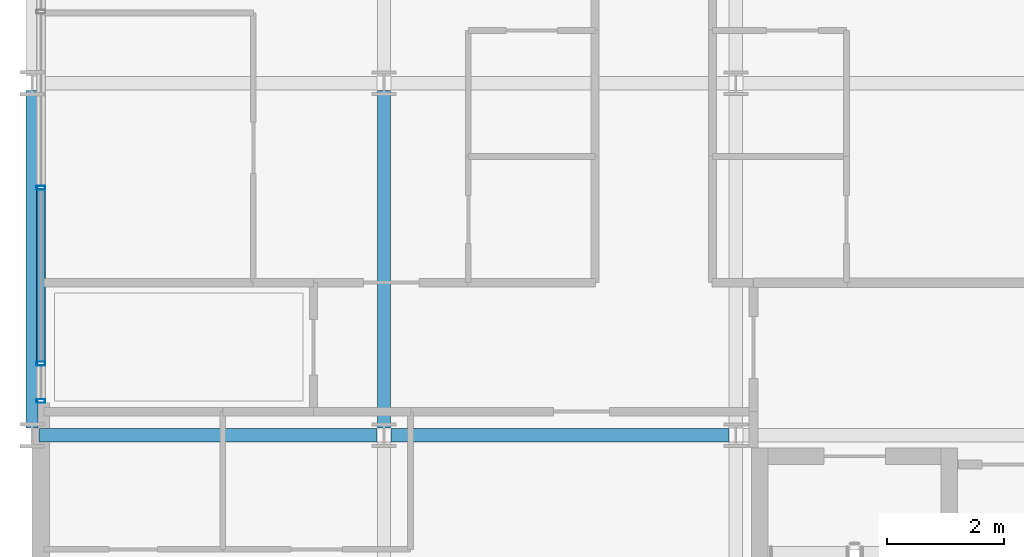
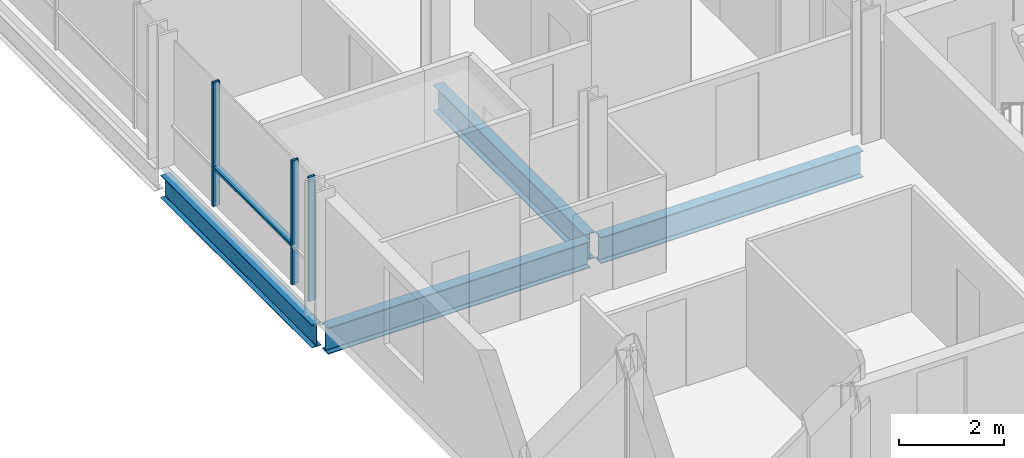
# One storey, part 2 of 41: 4 beams, 4 members, 1 element without a shape of its own.
"""IFC4 building model written with IfcOpenShell, lengths in metres."""

from ifc_helpers import new_model, si_unit, direction, frame, origin, origin_2d, place, context, subcontext, project, spatial, hollow_rectangle, i_section, extrude, material, layer, layer_set, material_profile, profile_set, type_object, element, aggregate, save


model = new_model("IFC4")

# Units and contexts
model_context = context("Model", 3, precision=1e-05, world=origin(), true_north=direction((0.0, 1.0)))
body_context = subcontext(model_context, "Body", "Model", "MODEL_VIEW")
ifc_project = project(units=[si_unit("LENGTHUNIT", "METRE"), si_unit("AREAUNIT", "SQUARE_METRE"), si_unit("VOLUMEUNIT", "CUBIC_METRE"), si_unit("PLANEANGLEUNIT", "RADIAN"), si_unit("MASSUNIT", "GRAM", prefix="KILO")], contexts=[model_context])

# Site, building, storey
site_placement = place(None, origin())
site = spatial("IfcSite", under=ifc_project, at=site_placement, CompositionType="ELEMENT")
building_placement = place(site_placement, origin())
building = spatial("IfcBuilding", under=site, at=building_placement, Name="Brevholm Reach", CompositionType="ELEMENT")
storey_placement = place(building_placement, frame((0.0, 0.0, 112.800048828125)))
storey = spatial("IfcBuildingStorey", under=building, at=storey_placement, Name="L33", CompositionType="ELEMENT", Elevation=112.800048828125)

# Beams
ifc_material_1 = material(Name="Structural Steel S355J2", Category="steel")
ifc_material_profile_1 = material_profile(ifc_material_1, i_section(OverallWidth=0.209228515625, OverallDepth=0.533203125, WebThickness=0.010009765625, FlangeThickness=0.015625, FilletRadius=0.0126953125, at=origin_2d()), Name="UKB 533x210x92")
ifc_profile_set_1 = profile_set([ifc_material_profile_1], Name="Structural Steel S355J2")
beam_type_1 = type_object("IfcBeamType", Name="BM-SP533", PredefinedType="SPANDREL", material=ifc_profile_set_1)
beam_placement = place(storey_placement, frame((0.0, 10.1201171875, -0.486572265625), z_axis=(0.0, 1.0, 0.0), x_axis=(-1.0, 0.0, 0.0)))
element("IfcBeam", 1, at=beam_placement, inside=storey, type_object=beam_type_1, Name="L33 SP-02 Framing Beam", PredefinedType="SPANDREL", context=body_context, shape_type="SweptSolid", body=[
    extrude(i_section(OverallWidth=0.209228515625, OverallDepth=0.533203125, WebThickness=0.010009765625, FlangeThickness=0.015625, FilletRadius=0.0126953125, at=origin_2d()), origin(), (0.0, 0.0, 1.0), 5.759765625),
])
ifc_material_2 = material(Name="Structural Steel S355J2", Category="steel")
ifc_material_profile_2 = material_profile(ifc_material_2, i_section(OverallWidth=0.22900390625, OverallDepth=0.6123046875, WebThickness=0.011962890625, FlangeThickness=0.01953125, FilletRadius=0.0126953125, at=origin_2d()), Name="UKB 610x229x125")
ifc_profile_set_2 = profile_set([ifc_material_profile_2], Name="Structural Steel S355J2")
beam_type_2 = type_object("IfcBeamType", Name="BM-SP610", PredefinedType="SPANDREL", material=ifc_profile_set_2)
for number, where, z_axis, x_axis, name in (
    (2, (0.1201171875, 10.0, -0.526123046875), (1.0, 0.0, 0.0), (0.0, 1.0, 0.0), "L33 SP-01 Framing Beam"),
    (3, (6.1201171875, 10.0, -0.526123046875), (1.0, 0.0, 0.0), (0.0, 1.0, 0.0), "L33 SP-01 Framing Beam"),
    (4, (6.0, 10.1201171875, -0.526123046875), (0.0, 1.0, 0.0), (-1.0, 0.0, 0.0), "L33 SP-01 Framing Beam"),
):
    element("IfcBeam", number, at=place(storey_placement, frame(where, z_axis=z_axis, x_axis=x_axis)), inside=storey, type_object=beam_type_2, Name=name, PredefinedType="SPANDREL", context=body_context, shape_type="SweptSolid", body=[
        extrude(i_section(OverallWidth=0.22900390625, OverallDepth=0.6123046875, WebThickness=0.011962890625, FlangeThickness=0.01953125, FilletRadius=0.0126953125, at=origin_2d()), origin(), (0.0, 0.0, 1.0), 5.759765625),
    ])

# Curtain wall, members
ifc_material_3 = material(Name="Dark Anodised Aluminium 6063-T6 and Solar-Control Glass", Category="aluminium")
ifc_layer = layer(ifc_material_3, 0.14990234375)
ifc_layer_set = layer_set([ifc_layer], Name="Dark Anodised Aluminium 6063-T6 and Solar-Control Glass")
curtain_wall_type = type_object("IfcCurtainWallType", Name="CW-01", PredefinedType="NOTDEFINED", material=ifc_layer_set)
curtain_wall_placement = place(storey_placement, origin())
curtain_wall = element("IfcCurtainWall", 5, at=curtain_wall_placement, inside=storey, type_object=curtain_wall_type, Name="L33 Curtain Wall CW-01", PredefinedType="NOTDEFINED")
ifc_material_4 = material(Name="Dark Anodised Aluminium 6063-T6", Category="aluminium")
ifc_material_profile_3 = material_profile(ifc_material_4, hollow_rectangle(XDim=0.06494140625, YDim=0.14990234375, WallThickness=0.0048828125, InnerFilletRadius=0.0048828125, OuterFilletRadius=0.010009765625, at=origin_2d()), Name="RHS 150x65x5")
ifc_profile_set_3 = profile_set([ifc_material_profile_3], Name="Dark Anodised Aluminium 6063-T6")
member_type_1 = type_object("IfcMemberType", Name="CWM-150", PredefinedType="MULLION", material=ifc_profile_set_3)
member_1_placement = place(storey_placement, frame((0.14990234375, 14.219970703125, 0.0), z_axis=(0.0, 0.0, 1.0), x_axis=(0.0, -1.0, 0.0)))
member_1 = element("IfcMember", 6, at=member_1_placement, type_object=member_type_1, Name="CM-150 Mullion 4", PredefinedType="MULLION", context=body_context, shape_type="SweptSolid", body=[
    extrude(hollow_rectangle(XDim=0.06494140625, YDim=0.14990234375, WallThickness=0.0048828125, InnerFilletRadius=0.0048828125, OuterFilletRadius=0.010009765625, at=origin_2d()), origin(), (0.0, 0.0, 1.0), 2.8798828125),
])
member_2_placement = place(storey_placement, frame((0.14990234375, 11.219970703125, 0.0), z_axis=(0.0, 0.0, 1.0), x_axis=(0.0, -1.0, 0.0)))
member_2 = element("IfcMember", 7, at=member_2_placement, type_object=member_type_1, Name="CM-150 Mullion 5", PredefinedType="MULLION", context=body_context, shape_type="SweptSolid", body=[
    extrude(hollow_rectangle(XDim=0.06494140625, YDim=0.14990234375, WallThickness=0.0048828125, InnerFilletRadius=0.0048828125, OuterFilletRadius=0.010009765625, at=origin_2d()), origin(), (0.0, 0.0, 1.0), 2.8798828125),
])
member_3_placement = place(storey_placement, frame((0.14990234375, 10.58251953125, 0.0), z_axis=(0.0, 0.0, 1.0), x_axis=(0.0, -1.0, 0.0)))
member_3 = element("IfcMember", 8, at=member_3_placement, type_object=member_type_1, Name="CM-150 Mullion 6", PredefinedType="MULLION", context=body_context, shape_type="SweptSolid", body=[
    extrude(hollow_rectangle(XDim=0.06494140625, YDim=0.14990234375, WallThickness=0.0048828125, InnerFilletRadius=0.0048828125, OuterFilletRadius=0.010009765625, at=origin_2d()), origin(), (0.0, 0.0, 1.0), 2.8798828125),
])
ifc_material_5 = material(Name="Dark Anodised Aluminium 6063-T6", Category="aluminium")
ifc_material_profile_4 = material_profile(ifc_material_5, hollow_rectangle(XDim=0.06494140625, YDim=0.14990234375, WallThickness=0.0048828125, InnerFilletRadius=0.0048828125, OuterFilletRadius=0.010009765625, at=origin_2d()), Name="RHS 150x65x5")
ifc_profile_set_4 = profile_set([ifc_material_profile_4], Name="Dark Anodised Aluminium 6063-T6")
member_type_2 = type_object("IfcMemberType", Name="CWT-150", PredefinedType="NOTDEFINED", material=ifc_profile_set_4)
member_4_placement = place(storey_placement, frame((0.14990234375, 14.1875, 0.89990234375), z_axis=(0.0, -1.0, 0.0), x_axis=(0.0, 0.0, 1.0)))
member_4 = element("IfcMember", 9, at=member_4_placement, type_object=member_type_2, Name="CT-150 Transom 4.1", ObjectType="TRANSOM", PredefinedType="USERDEFINED", context=body_context, shape_type="SweptSolid", body=[
    extrude(hollow_rectangle(XDim=0.06494140625, YDim=0.14990234375, WallThickness=0.0048828125, InnerFilletRadius=0.0048828125, OuterFilletRadius=0.010009765625, at=origin_2d()), origin(), (0.0, 0.0, 1.0), 2.93505859375),
])
aggregate(curtain_wall, [member_1, member_2, member_3, member_4])

save(model, "model.ifc")
